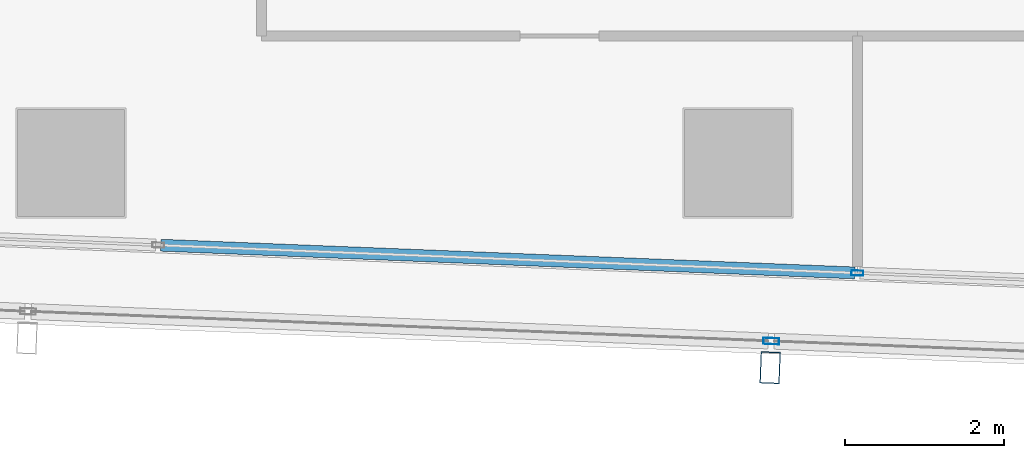
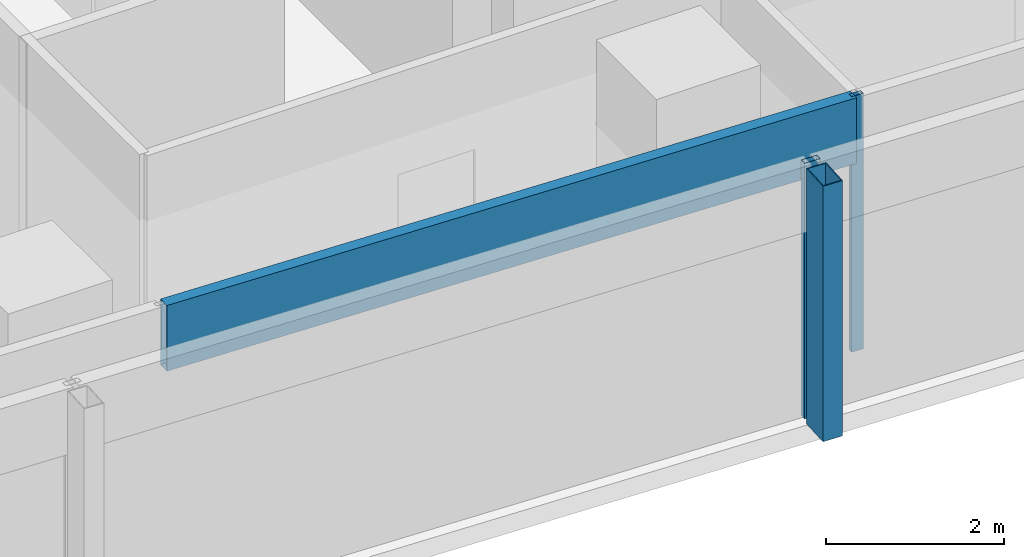
# One storey, part 6 of 39: 4 members, 2 elements without a shape of their own.
"""IFC4 building model written with IfcOpenShell, lengths in metres."""

from ifc_helpers import new_model, si_unit, direction, frame, origin, origin_2d, place, context, subcontext, project, spatial, hollow_rectangle, extrude, material, material_profile, profile_set, type_object, element, aggregate, save


model = new_model("IFC4")

# Units and contexts
model_context = context("Model", 3, precision=1e-05, world=origin(), true_north=direction((0.0, 1.0)))
body_context = subcontext(model_context, "Body", "Model", "MODEL_VIEW")
ifc_project = project(units=[si_unit("LENGTHUNIT", "METRE"), si_unit("AREAUNIT", "SQUARE_METRE"), si_unit("VOLUMEUNIT", "CUBIC_METRE"), si_unit("PLANEANGLEUNIT", "RADIAN"), si_unit("MASSUNIT", "GRAM", prefix="KILO")], contexts=[model_context])

# Site, building, storey
site_placement = place(None, origin())
site = spatial("IfcSite", under=ifc_project, at=site_placement, CompositionType="ELEMENT")
building_placement = place(site_placement, origin())
building = spatial("IfcBuilding", under=site, at=building_placement, Name="Rekha Terrace Tower", CompositionType="ELEMENT")
storey_placement = place(building_placement, frame((0.0, 0.0, 221.449951171875)))
storey = spatial("IfcBuildingStorey", under=building, at=storey_placement, Name="L56", CompositionType="ELEMENT", Elevation=221.449951171875)

# Curtain wall, member
ifc_material_1 = material(Name="Aluminium framing", Category="aluminium")
curtain_wall_type_1 = type_object("IfcCurtainWallType", Name="CW2 double skin outer glazing", PredefinedType="USERDEFINED", material=ifc_material_1)
curtain_wall_1_placement = place(storey_placement, origin())
curtain_wall_1 = element("IfcCurtainWall", 1, at=curtain_wall_1_placement, inside=storey, type_object=curtain_wall_type_1, Name="CW2 double skin outer glazing", ObjectType="DOUBLE SKIN OUTER GLAZING", PredefinedType="USERDEFINED")
ifc_material_2 = material(Name="Steel S355 with fluorocarbon finish", Category="steel")
ifc_material_profile_1 = material_profile(ifc_material_2, hollow_rectangle(XDim=0.25, YDim=0.39990234375, WallThickness=0.012451171875, at=origin_2d()), Name="RHS400x250x12.5")
ifc_profile_set_1 = profile_set([ifc_material_profile_1], Name="Steel S355 with fluorocarbon finish")
member_type_1 = type_object("IfcMemberType", Name="BL1 facade blade RHS 400 x 250", PredefinedType="USERDEFINED", material=ifc_profile_set_1)
member_1_placement = place(storey_placement, frame((25.60498046875, 14.222412109375, 0.0), z_axis=(0.0, 0.0, 1.0), x_axis=(0.999204797763, -0.039871946621, 0.0)))
member_1 = element("IfcMember", 2, at=member_1_placement, type_object=member_type_1, Name="Facade blade", ObjectType="FACADE BLADE", PredefinedType="USERDEFINED", context=body_context, shape_type="SweptSolid", body=[
    extrude(hollow_rectangle(XDim=0.25, YDim=0.39990234375, WallThickness=0.012451171875, at=origin_2d()), origin(), (0.0, 0.0, 1.0), 3.5),
])

# Curtain wall, members
curtain_wall_type_2 = type_object("IfcCurtainWallType", Name="CW1 double skin inner glazing", PredefinedType="USERDEFINED", material=ifc_material_1)
curtain_wall_2_placement = place(storey_placement, origin())
curtain_wall_2 = element("IfcCurtainWall", 3, at=curtain_wall_2_placement, inside=storey, type_object=curtain_wall_type_2, Name="CW1 double skin inner glazing", ObjectType="DOUBLE SKIN INNER GLAZING", PredefinedType="USERDEFINED")
ifc_material_3 = material(Name="Aluminium mullion section", Category="aluminium")
ifc_material_profile_2 = material_profile(ifc_material_3, hollow_rectangle(XDim=0.06494140625, YDim=0.14990234375, WallThickness=0.00390625, at=origin_2d()), Name="AL RHS 65x150")
ifc_profile_set_2 = profile_set([ifc_material_profile_2], Name="Aluminium mullion section")
member_type_2 = type_object("IfcMemberType", Name="CW1 mullion RHS 65 x 150", PredefinedType="MULLION", material=ifc_profile_set_2)
member_2_placement = place(storey_placement, frame((26.703369140625, 15.41455078125, 0.0), z_axis=(0.0, 0.0, 1.0), x_axis=(0.039872497061, 0.999204775798, 0.0)))
member_2 = element("IfcMember", 4, at=member_2_placement, type_object=member_type_2, Name="CW1 mullion 3", PredefinedType="MULLION", context=body_context, shape_type="SweptSolid", body=[
    extrude(hollow_rectangle(XDim=0.06494140625, YDim=0.14990234375, WallThickness=0.00390625, at=origin_2d()), origin(), (0.0, 0.0, 1.0), 3.5),
])
ifc_material_4 = material(Name="Insulated aluminium spandrel box", Category="aluminium")
ifc_material_profile_3 = material_profile(ifc_material_4, hollow_rectangle(XDim=0.14990234375, YDim=0.89990234375, WallThickness=0.0029296875, at=origin_2d()), Name="AL SPANDREL BOX 150x900")
ifc_profile_set_3 = profile_set([ifc_material_profile_3], Name="Insulated aluminium spandrel box")
member_type_3 = type_object("IfcMemberType", Name="CW1 spandrel transom 150 x 900", PredefinedType="USERDEFINED", material=ifc_profile_set_3)
member_3_placement = place(storey_placement, frame((17.931396484375, 15.7646484375, 3.050048828125), z_axis=(0.999205278064, -0.039859908291, 0.0), x_axis=(0.039859908291, 0.999205278064, 0.0)))
member_3 = element("IfcMember", 5, at=member_3_placement, type_object=member_type_3, Name="CW1 spandrel transom 2", ObjectType="TRANSOM", PredefinedType="USERDEFINED", context=body_context, shape_type="SweptSolid", body=[
    extrude(hollow_rectangle(XDim=0.14990234375, YDim=0.89990234375, WallThickness=0.0029296875, at=origin_2d()), origin(), (0.0, 0.0, 1.0), 8.746337890625),
])
aggregate(curtain_wall_2, [member_2, member_3])

# Member
ifc_material_profile_4 = material_profile(ifc_material_3, hollow_rectangle(XDim=0.080078125, YDim=0.199951171875, WallThickness=0.00390625, at=origin_2d()), Name="AL RHS 80x200")
ifc_profile_set_4 = profile_set([ifc_material_profile_4], Name="Aluminium mullion section")
member_type_4 = type_object("IfcMemberType", Name="CW2 mullion RHS 80 x 200", PredefinedType="MULLION", material=ifc_profile_set_4)
member_4_placement = place(storey_placement, frame((25.618408203125, 14.55712890625, 0.0), z_axis=(0.0, 0.0, 1.0), x_axis=(0.039872497044, 0.999204775799, 0.0)))
member_4 = element("IfcMember", 6, at=member_4_placement, type_object=member_type_4, Name="CW2 mullion 3", PredefinedType="MULLION", context=body_context, shape_type="SweptSolid", body=[
    extrude(hollow_rectangle(XDim=0.080078125, YDim=0.199951171875, WallThickness=0.00390625, at=origin_2d()), origin(), (0.0, 0.0, 1.0), 3.5),
])

aggregate(curtain_wall_1, [member_4, member_1])

save(model, "model.ifc")
